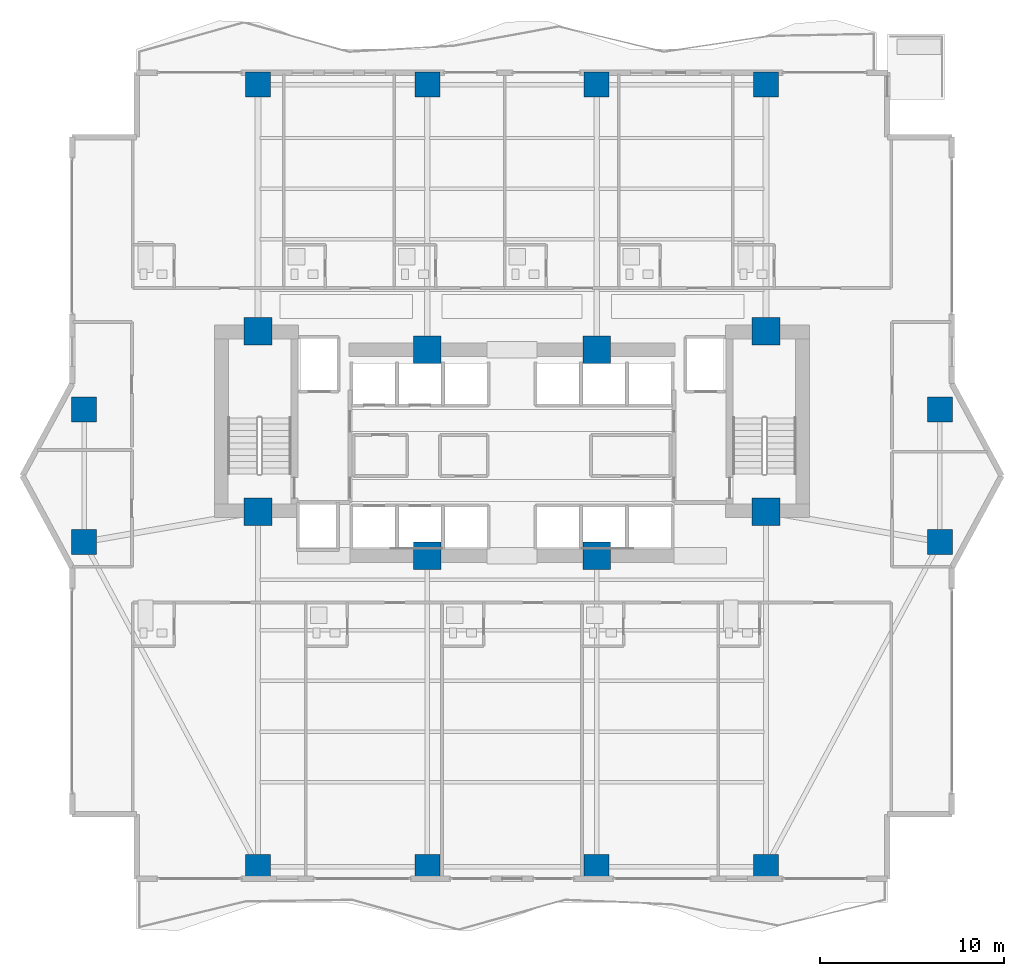
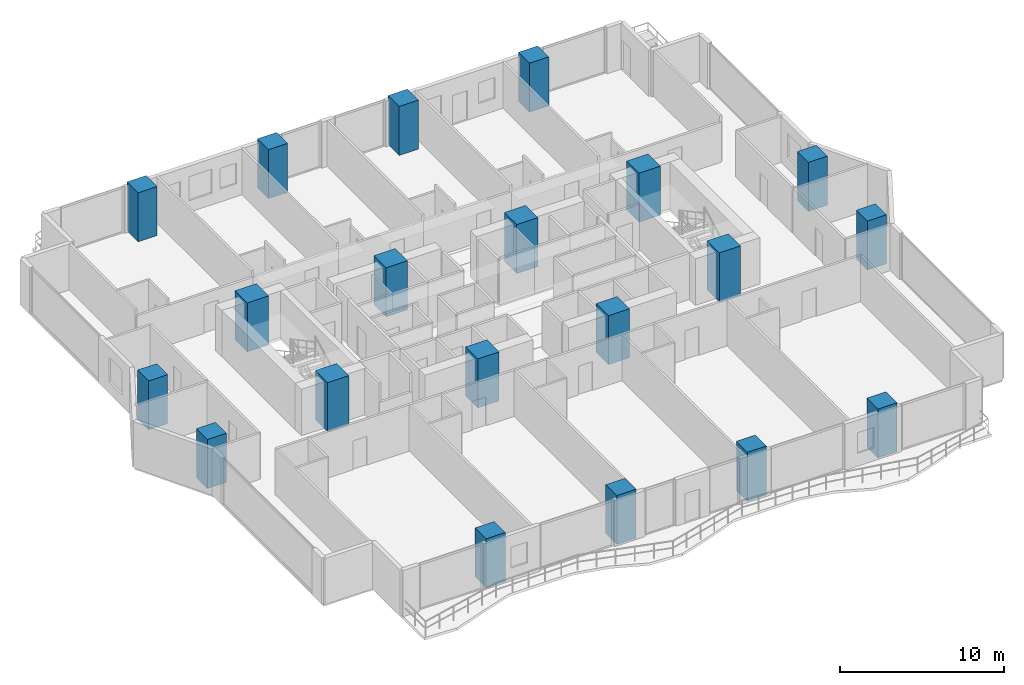
# One storey, part 1 of 27: 20 columns.
"""IFC4 building model written with IfcOpenShell, lengths in metres."""

from ifc_helpers import new_model, si_unit, direction, frame, origin, origin_2d, place, context, subcontext, project, spatial, rectangle, extrude, material, material_profile, profile_set, type_object, element, save


model = new_model("IFC4")

# Units and contexts
model_context = context("Model", 3, precision=1e-05, world=origin(), true_north=direction((0.0, 1.0)))
body_context = subcontext(model_context, "Body", "Model", "MODEL_VIEW")
ifc_project = project(units=[si_unit("LENGTHUNIT", "METRE"), si_unit("AREAUNIT", "SQUARE_METRE"), si_unit("VOLUMEUNIT", "CUBIC_METRE"), si_unit("PLANEANGLEUNIT", "RADIAN"), si_unit("MASSUNIT", "GRAM", prefix="KILO")], contexts=[model_context])

# Site, building, storey
site_placement = place(None, origin())
site = spatial("IfcSite", under=ifc_project, at=site_placement, CompositionType="ELEMENT")
building_placement = place(site_placement, origin())
building = spatial("IfcBuilding", under=site, at=building_placement, Name="Zuhayl Quay Hotel", CompositionType="ELEMENT")
storey_placement = place(building_placement, frame((0.0, 0.0, 102.949951171875)))
storey = spatial("IfcBuildingStorey", under=building, at=storey_placement, Name="L25", CompositionType="ELEMENT", Elevation=102.949951171875)

# Columns
ifc_material = material(Name="Concrete C70/85", Category="concrete")
ifc_material_profile_1 = material_profile(ifc_material, rectangle(XDim=1.5, YDim=1.5, at=origin_2d()), Name="RC1500X1500")
ifc_profile_set_1 = profile_set([ifc_material_profile_1], Name="Concrete C70/85")
column_type_1 = type_object("IfcColumnType", Name="CL_CC1_1500", PredefinedType="COLUMN", material=ifc_profile_set_1)
for number, where, z_axis, x_axis, name in (
    (1, (-13.800048828125, 14.35009765625, 0.0), (0.0, 0.0, 1.0), (1.0, 0.0, 0.0), "L25 Core Column CC_NW"),
    (2, (-4.60009765625, 13.35009765625, 0.0), (0.0, 0.0, 1.0), (1.0, 0.0, 0.0), "L25 Core Column CC_CNW"),
    (3, (4.60009765625, 13.35009765625, 0.0), (0.0, 0.0, 1.0), (1.0, 0.0, 0.0), "L25 Core Column CC_CNE"),
    (4, (13.800048828125, 14.35009765625, 0.0), (0.0, 0.0, 1.0), (1.0, 0.0, 0.0), "L25 Core Column CC_NE"),
    (5, (-13.800048828125, 4.550048828125, 0.0), (0.0, 0.0, 1.0), (1.0, 0.0, 0.0), "L25 Core Column CC_SW"),
    (6, (-4.60009765625, 2.14990234375, 0.0), (0.0, 0.0, 1.0), (1.0, 0.0, 0.0), "L25 Core Column CC_CSW"),
    (7, (4.60009765625, 2.14990234375, 0.0), (0.0, 0.0, 1.0), (1.0, 0.0, 0.0), "L25 Core Column CC_CSE"),
    (8, (13.800048828125, 4.550048828125, 0.0), (0.0, 0.0, 1.0), (1.0, 0.0, 0.0), "L25 Core Column CC_SE"),
):
    element("IfcColumn", number, at=place(storey_placement, frame(where, z_axis=z_axis, x_axis=x_axis)), inside=storey, type_object=column_type_1, Name=name, PredefinedType="COLUMN", context=body_context, shape_type="SweptSolid", body=[
        extrude(rectangle(XDim=1.5, YDim=1.5, at=origin_2d()), origin(), (0.0, 0.0, 1.0), 3.650146484375),
    ])
ifc_material_profile_2 = material_profile(ifc_material, rectangle(XDim=1.35009765625, YDim=1.35009765625, at=origin_2d()), Name="RC1350X1350")
ifc_profile_set_2 = profile_set([ifc_material_profile_2], Name="Concrete C70/85")
column_type_2 = type_object("IfcColumnType", Name="CL_MC2_1350", PredefinedType="COLUMN", material=ifc_profile_set_2)
for number, where, z_axis, x_axis, name in (
    (9, (-13.800048828125, -14.75, 0.0), (0.0, 0.0, 1.0), (1.0, 0.0, 0.0), "L25 Mega-Column MC_S1"),
    (10, (-4.60009765625, -14.75, 0.0), (0.0, 0.0, 1.0), (1.0, 0.0, 0.0), "L25 Mega-Column MC_S2"),
    (11, (4.60009765625, -14.75, 0.0), (0.0, 0.0, 1.0), (1.0, 0.0, 0.0), "L25 Mega-Column MC_S3"),
    (12, (13.800048828125, -14.75, 0.0), (0.0, 0.0, 1.0), (1.0, 0.0, 0.0), "L25 Mega-Column MC_S4"),
    (13, (-13.800048828125, 27.75, 0.0), (0.0, 0.0, 1.0), (1.0, 0.0, 0.0), "L25 Mega-Column MC_N1"),
    (14, (-4.60009765625, 27.75, 0.0), (0.0, 0.0, 1.0), (1.0, 0.0, 0.0), "L25 Mega-Column MC_N2"),
    (15, (4.60009765625, 27.75, 0.0), (0.0, 0.0, 1.0), (1.0, 0.0, 0.0), "L25 Mega-Column MC_N3"),
    (16, (13.800048828125, 27.75, 0.0), (0.0, 0.0, 1.0), (1.0, 0.0, 0.0), "L25 Mega-Column MC_N4"),
    (17, (-23.25, 2.89990234375, 0.0), (0.0, 0.0, 1.0), (1.0, 0.0, 0.0), "L25 Mega-Column MC_W1"),
    (18, (-23.25, 10.10009765625, 0.0), (0.0, 0.0, 1.0), (1.0, 0.0, 0.0), "L25 Mega-Column MC_W2"),
    (19, (23.25, 2.89990234375, 0.0), (0.0, 0.0, 1.0), (1.0, 0.0, 0.0), "L25 Mega-Column MC_E1"),
    (20, (23.25, 10.10009765625, 0.0), (0.0, 0.0, 1.0), (1.0, 0.0, 0.0), "L25 Mega-Column MC_E2"),
):
    element("IfcColumn", number, at=place(storey_placement, frame(where, z_axis=z_axis, x_axis=x_axis)), inside=storey, type_object=column_type_2, Name=name, PredefinedType="COLUMN", context=body_context, shape_type="SweptSolid", body=[
        extrude(rectangle(XDim=1.35009765625, YDim=1.35009765625, at=origin_2d()), origin(), (0.0, 0.0, 1.0), 3.650146484375),
    ])

save(model, "model.ifc")
